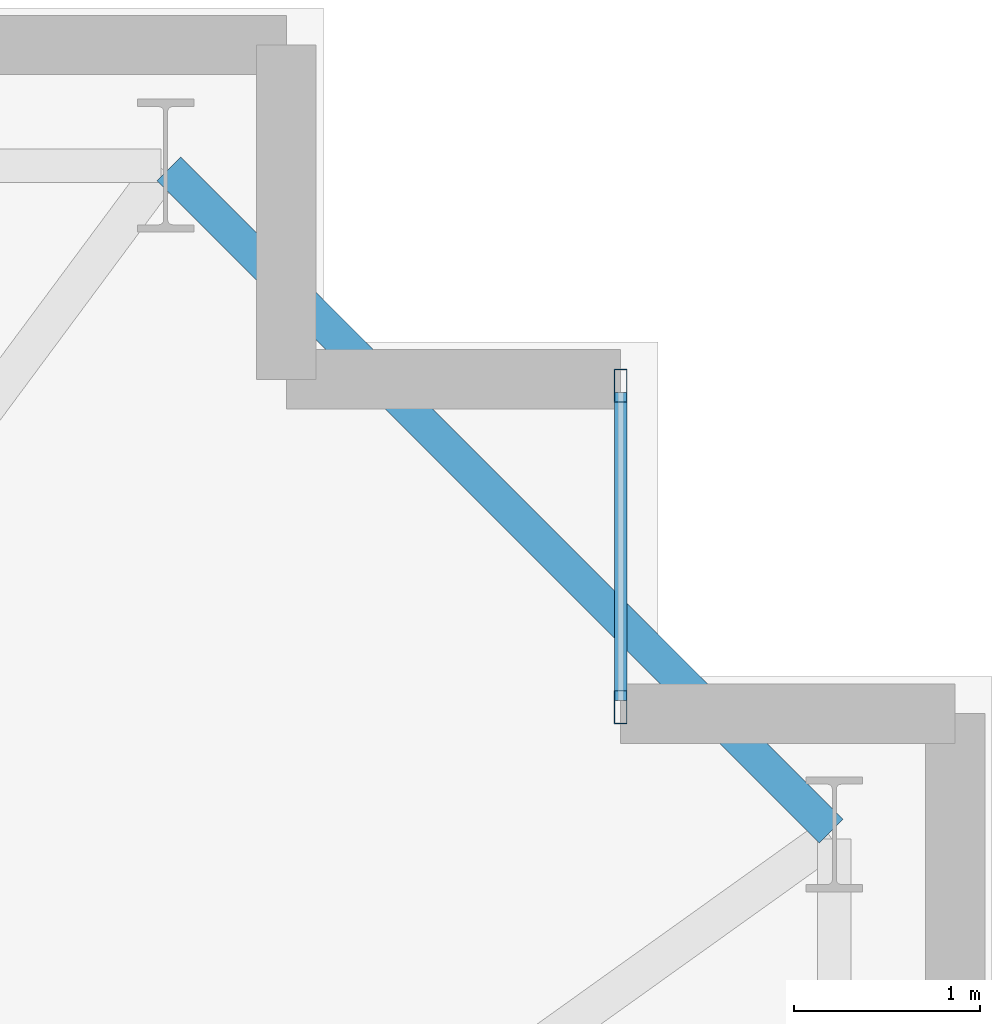
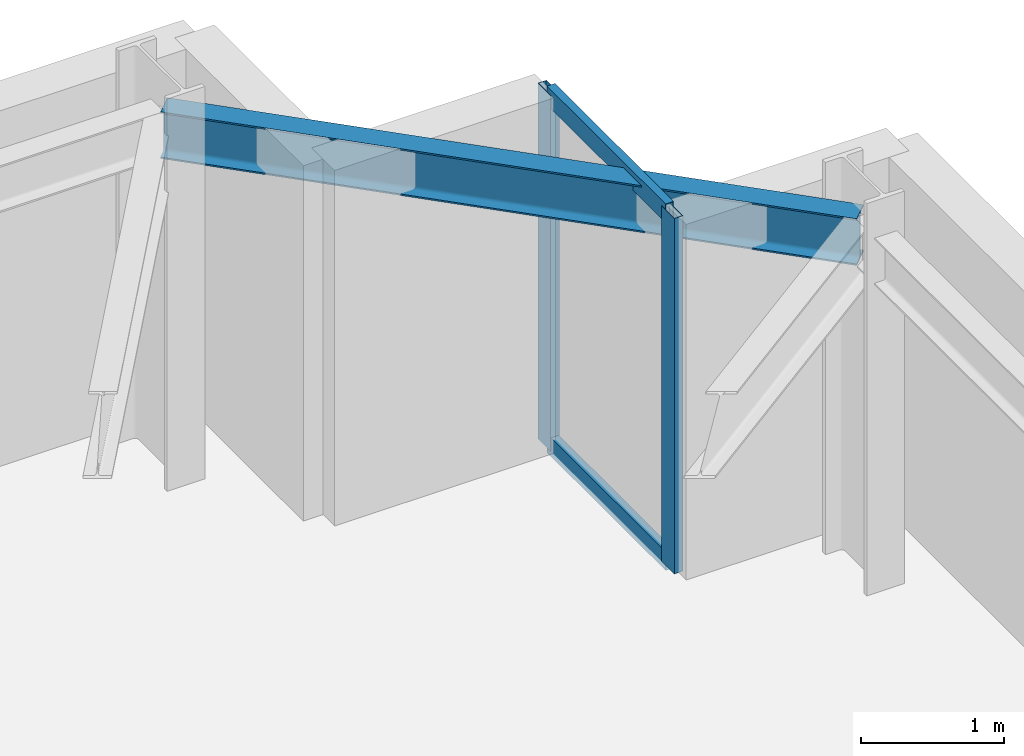
# One storey, part 12 of 22: 4 members, 1 beam, 1 element without a shape of its own.
"""IFC4 building model written with IfcOpenShell, lengths in metres."""

from ifc_helpers import new_model, si_unit, direction, frame, origin, origin_2d, place, context, subcontext, project, spatial, hollow_rectangle, i_section, extrude, material, layer, layer_set, material_profile, profile_set, type_object, element, aggregate, save


model = new_model("IFC4")

# Units and contexts
model_context = context("Model", 3, precision=1e-05, world=origin(), true_north=direction((0.0, 1.0)))
body_context = subcontext(model_context, "Body", "Model", "MODEL_VIEW")
ifc_project = project(units=[si_unit("LENGTHUNIT", "METRE"), si_unit("AREAUNIT", "SQUARE_METRE"), si_unit("VOLUMEUNIT", "CUBIC_METRE"), si_unit("PLANEANGLEUNIT", "RADIAN"), si_unit("MASSUNIT", "GRAM", prefix="KILO")], contexts=[model_context])

# Site, building, storey
site_placement = place(None, origin())
site = spatial("IfcSite", under=ifc_project, at=site_placement, CompositionType="ELEMENT")
building_placement = place(site_placement, origin())
building = spatial("IfcBuilding", under=site, at=building_placement, Name="Qobustan Lattice House", CompositionType="ELEMENT")
storey_placement = place(building_placement, frame((0.0, 0.0, 53.800048828125)))
storey = spatial("IfcBuildingStorey", under=building, at=storey_placement, Name="L14", CompositionType="ELEMENT", Elevation=53.800048828125)

# Beam
ifc_material_1 = material(Name="Steel S355", Category="steel")
ifc_material_profile_1 = material_profile(ifc_material_1, i_section(OverallWidth=0.179931640625, OverallDepth=0.39990234375, WebThickness=0.008544921875, FlangeThickness=0.013427734375, FilletRadius=0.02099609375, at=origin_2d()), Name="IPE400")
ifc_profile_set_1 = profile_set([ifc_material_profile_1], Name="Steel S355")
beam_type = type_object("IfcBeamType", Name="BM-SPD-IPE400", PredefinedType="SPANDREL", material=ifc_profile_set_1)
beam_placement = place(storey_placement, frame((32.13232421875, 15.167724609375, 2.8349609375), z_axis=(-0.707106781187, 0.707106781187, 0.0), x_axis=(-0.707106781187, -0.707106781187, 0.0)))
element("IfcBeam", 1, at=beam_placement, inside=storey, type_object=beam_type, Name="L14 perimeter spandrel E4-N1", PredefinedType="SPANDREL", context=body_context, shape_type="SweptSolid", body=[
    extrude(i_section(OverallWidth=0.179931640625, OverallDepth=0.39990234375, WebThickness=0.008544921875, FlangeThickness=0.013427734375, FilletRadius=0.02099609375, at=origin_2d()), origin(), (0.0, 0.0, 1.0), 5.041259765625),
])

# Curtain wall, members
ifc_material_2 = material(Name="Anodised aluminium and low-E glazing", Category="aluminium")
ifc_layer = layer(ifc_material_2, 0.219970703125)
ifc_layer_set = layer_set([ifc_layer], Name="Anodised aluminium and low-E glazing")
curtain_wall_type = type_object("IfcCurtainWallType", Name="CW-FAC-01", PredefinedType="USERDEFINED", material=ifc_layer_set)
curtain_wall_placement = place(storey_placement, origin())
curtain_wall = element("IfcCurtainWall", 2, at=curtain_wall_placement, inside=storey, type_object=curtain_wall_type, Name="L14 serrated corner faceted glazing 13", ObjectType="CURTAIN WALL", PredefinedType="USERDEFINED")
ifc_material_3 = material(Name="Anodised aluminium EN AW-6063 T6", Category="aluminium")
ifc_material_profile_2 = material_profile(ifc_material_3, hollow_rectangle(XDim=0.070068359375, YDim=0.179931640625, WallThickness=0.00439453125, at=origin_2d()), Name="CWM-180x70")
ifc_profile_set_2 = profile_set([ifc_material_profile_2], Name="Anodised aluminium EN AW-6063 T6")
member_type_1 = type_object("IfcMemberType", Name="CWM-STD-180", PredefinedType="MULLION", material=ifc_profile_set_2)
member_1_placement = place(storey_placement, frame((31.0, 17.56494140625, 0.0), z_axis=(0.0, 0.0, 1.0), x_axis=(1.0, 0.0, 0.0)))
member_1 = element("IfcMember", 3, at=member_1_placement, type_object=member_type_1, Name="CW-F1 mullion 1", PredefinedType="MULLION", context=body_context, shape_type="SweptSolid", body=[
    extrude(hollow_rectangle(XDim=0.070068359375, YDim=0.179931640625, WallThickness=0.00439453125, at=origin_2d()), origin(), (0.0, 0.0, 1.0), 3.034912109375),
])
member_2_placement = place(storey_placement, frame((31.0, 15.8349609375, 0.0), z_axis=(0.0, 0.0, 1.0), x_axis=(1.0, 0.0, 0.0)))
member_2 = element("IfcMember", 4, at=member_2_placement, type_object=member_type_1, Name="CW-F1 mullion 2", PredefinedType="MULLION", context=body_context, shape_type="SweptSolid", body=[
    extrude(hollow_rectangle(XDim=0.070068359375, YDim=0.179931640625, WallThickness=0.00439453125, at=origin_2d()), origin(), (0.0, 0.0, 1.0), 3.034912109375),
])
ifc_material_4 = material(Name="Anodised aluminium EN AW-6063 T6", Category="aluminium")
ifc_material_profile_3 = material_profile(ifc_material_4, hollow_rectangle(XDim=0.06494140625, YDim=0.159912109375, WallThickness=0.00390625, at=origin_2d()), Name="CWT-160x65")
ifc_profile_set_3 = profile_set([ifc_material_profile_3], Name="Anodised aluminium EN AW-6063 T6")
member_type_2 = type_object("IfcMemberType", Name="CWT-HOR-160", PredefinedType="USERDEFINED", material=ifc_profile_set_3)
member_3_placement = place(storey_placement, frame((31.0, 17.530029296875, 0.032470703125), z_axis=(0.0, -1.0, 0.0), x_axis=(1.0, 0.0, 0.0)))
member_3 = element("IfcMember", 5, at=member_3_placement, type_object=member_type_2, Name="CW-F1 transom 1.1", ObjectType="TRANSOM", PredefinedType="USERDEFINED", context=body_context, shape_type="SweptSolid", body=[
    extrude(hollow_rectangle(XDim=0.06494140625, YDim=0.159912109375, WallThickness=0.00390625, at=origin_2d()), origin(), (0.0, 0.0, 1.0), 1.659912109375),
])
member_4_placement = place(storey_placement, frame((31.0, 17.530029296875, 3.00244140625), z_axis=(0.0, -1.0, 0.0), x_axis=(1.0, 0.0, 0.0)))
member_4 = element("IfcMember", 6, at=member_4_placement, type_object=member_type_2, Name="CW-F1 transom 1.2", ObjectType="TRANSOM", PredefinedType="USERDEFINED", context=body_context, shape_type="SweptSolid", body=[
    extrude(hollow_rectangle(XDim=0.06494140625, YDim=0.159912109375, WallThickness=0.00390625, at=origin_2d()), origin(), (0.0, 0.0, 1.0), 1.659912109375),
])
aggregate(curtain_wall, [member_1, member_2, member_3, member_4])

save(model, "model.ifc")
